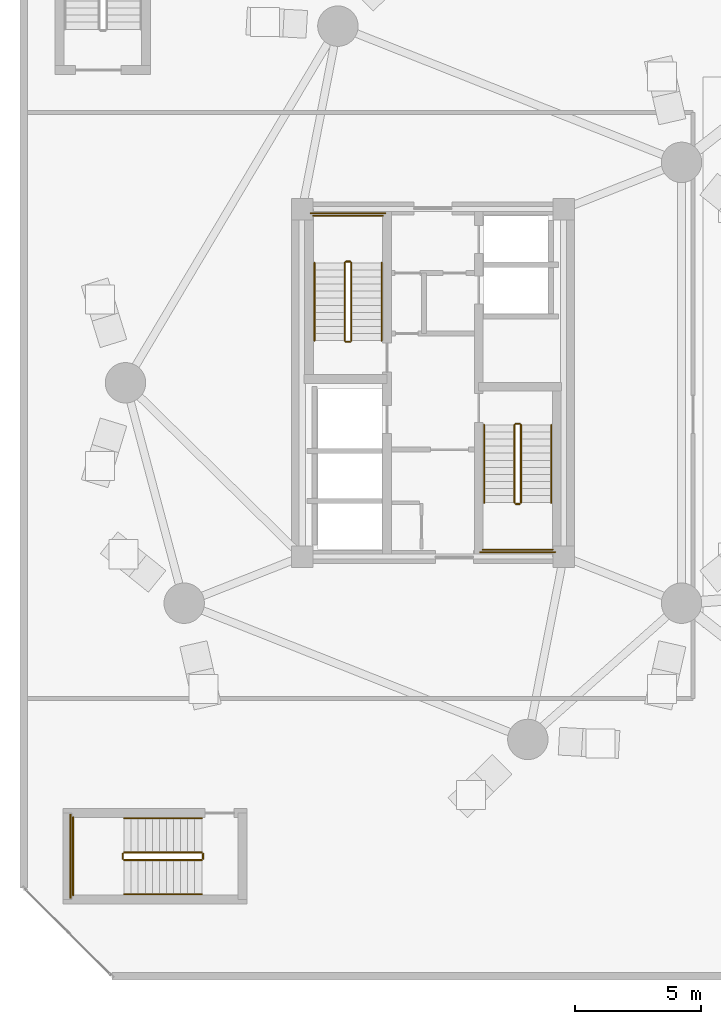
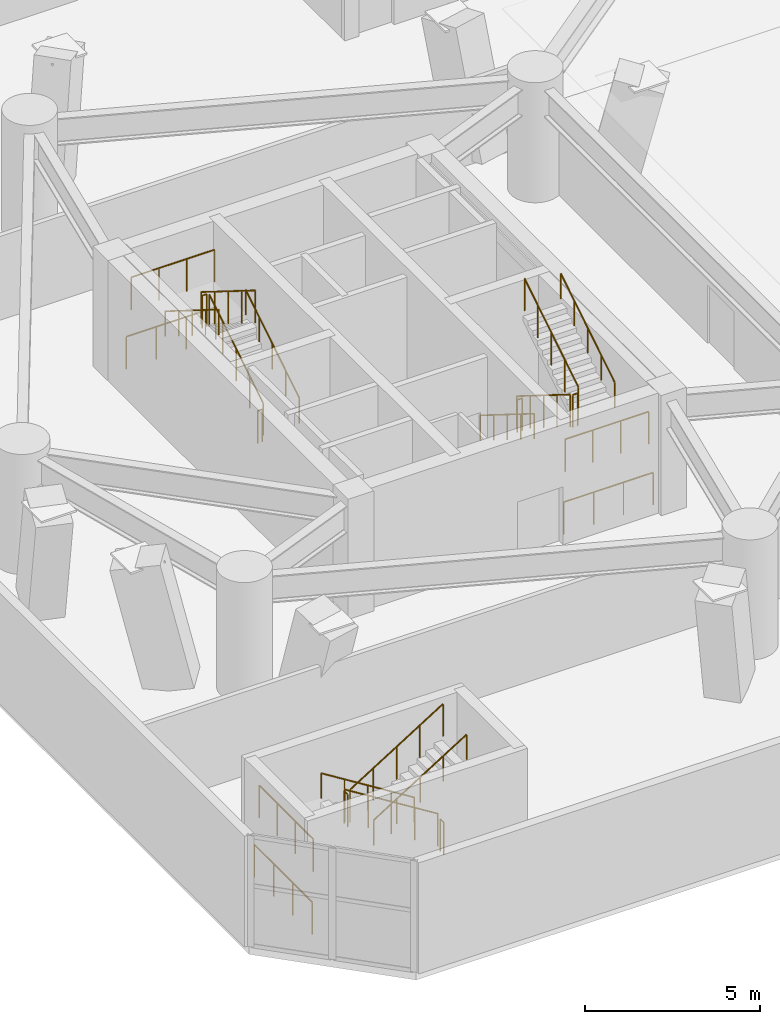
# One storey, part 16 of 20: 24 railings.
"""IFC4 building model written with IfcOpenShell, lengths in metres."""

from ifc_helpers import new_model, si_unit, direction, frame, origin, origin_2d, place, context, subcontext, project, spatial, circle, extrude, material, type_object, element, save


model = new_model("IFC4")

# Units and contexts
model_context = context("Model", 3, precision=1e-05, world=origin(), true_north=direction((0.0, 1.0)))
body_context = subcontext(model_context, "Body", "Model", "MODEL_VIEW")
ifc_project = project(units=[si_unit("LENGTHUNIT", "METRE"), si_unit("AREAUNIT", "SQUARE_METRE"), si_unit("VOLUMEUNIT", "CUBIC_METRE"), si_unit("PLANEANGLEUNIT", "RADIAN"), si_unit("MASSUNIT", "GRAM", prefix="KILO")], contexts=[model_context])

# Site, building, storey
site_placement = place(None, origin())
site = spatial("IfcSite", under=ifc_project, at=site_placement, CompositionType="ELEMENT")
building_placement = place(site_placement, origin())
building = spatial("IfcBuilding", under=site, at=building_placement, Name="Cununo Teusaquillo Station Towers", CompositionType="ELEMENT")
storey_placement = place(building_placement, frame((0.0, 0.0, 9.0)))
storey = spatial("IfcBuildingStorey", under=building, at=storey_placement, Name="L02", CompositionType="ELEMENT", Elevation=9.0)

# Railings
ifc_material_1 = material(Name="Steel EN 10025-2 S355J2", Category="steel")
railing_type_1 = type_object("IfcRailingType", Name="RL-INT-GUARD", PredefinedType="GUARDRAIL", material=ifc_material_1)
railing_1_placement = place(storey_placement, frame((13.27001953125, 26.169921875, 0.175048828125)))
element("IfcRailing", 1, at=railing_1_placement, inside=storey, type_object=railing_type_1, Name="L02 ST-T1-1 stair guard 1", PredefinedType="GUARDRAIL", context=body_context, shape_type="SweptSolid", body=[
    extrude(circle(Radius=0.02392578125, at=origin_2d()), frame((0.0, 0.0, 1.1259765625), z_axis=(0.0, 0.847998304005, 0.529998940003), x_axis=(-1.0, 0.0, 0.0)), (0.0, 0.0, 1.0), 3.632080078125),
    extrude(circle(Radius=0.02099609375, at=origin_2d()), origin(), (0.0, 0.0, 1.0), 1.101806640625),
    extrude(circle(Radius=0.02099609375, at=origin_2d()), frame((0.0, 0.77001953125, 0.481201171875)), (0.0, 0.0, 1.0), 1.101806640625),
    extrude(circle(Radius=0.02099609375, at=origin_2d()), frame((0.0, 1.5400390625, 0.96240234375)), (0.0, 0.0, 1.0), 1.101806640625),
    extrude(circle(Radius=0.02099609375, at=origin_2d()), frame((0.0, 2.31005859375, 1.44384765625)), (0.0, 0.0, 1.0), 1.101806640625),
    extrude(circle(Radius=0.02099609375, at=origin_2d()), frame((0.0, 3.080078125, 1.925048828125)), (0.0, 0.0, 1.0), 1.101806640625),
])
railing_2_placement = place(storey_placement, frame((13.219970703125, 29.300048828125, 2.10009765625)))
element("IfcRailing", 2, at=railing_2_placement, inside=storey, type_object=railing_type_1, Name="L02 ST-T1-1 stair guard 2", PredefinedType="GUARDRAIL", context=body_context, shape_type="SweptSolid", body=[
    extrude(circle(Radius=0.02392578125, at=origin_2d()), frame((0.0, 0.0, 1.1259765625), z_axis=(-1.0, 0.0, 0.0), x_axis=(0.0, -1.0, 0.0)), (0.0, 0.0, 1.0), 0.159912109375),
    extrude(circle(Radius=0.02099609375, at=origin_2d()), origin(), (0.0, 0.0, 1.0), 1.101806640625),
    extrude(circle(Radius=0.02099609375, at=origin_2d()), frame((-0.159912109375, 0.0, 0.0)), (0.0, 0.0, 1.0), 1.101806640625),
])
railing_3_placement = place(storey_placement, frame((14.52001953125, 31.110107421875, 2.10009765625)))
element("IfcRailing", 3, at=railing_3_placement, inside=storey, type_object=railing_type_1, Name="L02 ST-T1-1 stair guard 3", PredefinedType="GUARDRAIL", context=body_context, shape_type="SweptSolid", body=[
    extrude(circle(Radius=0.02392578125, at=origin_2d()), frame((0.0, 0.0, 1.1259765625), z_axis=(-1.0, 0.0, 0.0), x_axis=(0.0, -1.0, 0.0)), (0.0, 0.0, 1.0), 2.760009765625),
    extrude(circle(Radius=0.02099609375, at=origin_2d()), origin(), (0.0, 0.0, 1.0), 1.101806640625),
    extrude(circle(Radius=0.02099609375, at=origin_2d()), frame((-0.919921875, 0.0, 0.0)), (0.0, 0.0, 1.0), 1.101806640625),
    extrude(circle(Radius=0.02099609375, at=origin_2d()), frame((-1.840087890625, 0.0, 0.0)), (0.0, 0.0, 1.0), 1.101806640625),
    extrude(circle(Radius=0.02099609375, at=origin_2d()), frame((-2.760009765625, 0.0, 0.0)), (0.0, 0.0, 1.0), 1.101806640625),
])
railing_4_placement = place(storey_placement, frame((13.010009765625, 29.25, 2.27490234375)))
element("IfcRailing", 4, at=railing_4_placement, inside=storey, type_object=railing_type_1, Name="L02 ST-T1-1 stair guard 4", PredefinedType="GUARDRAIL", context=body_context, shape_type="SweptSolid", body=[
    extrude(circle(Radius=0.02392578125, at=origin_2d()), frame((0.0, 0.0, 1.1259765625), z_axis=(0.0, -0.847998304005, 0.529998940003), x_axis=(1.0, 0.0, 0.0)), (0.0, 0.0, 1.0), 3.632080078125),
    extrude(circle(Radius=0.02099609375, at=origin_2d()), origin(), (0.0, 0.0, 1.0), 1.101806640625),
    extrude(circle(Radius=0.02099609375, at=origin_2d()), frame((0.0, -0.77001953125, 0.481201171875)), (0.0, 0.0, 1.0), 1.101806640625),
    extrude(circle(Radius=0.02099609375, at=origin_2d()), frame((0.0, -1.5400390625, 0.96240234375)), (0.0, 0.0, 1.0), 1.101806640625),
    extrude(circle(Radius=0.02099609375, at=origin_2d()), frame((0.0, -2.31005859375, 1.44384765625)), (0.0, 0.0, 1.0), 1.101806640625),
    extrude(circle(Radius=0.02099609375, at=origin_2d()), frame((0.0, -3.080078125, 1.925048828125)), (0.0, 0.0, 1.0), 1.101806640625),
])
railing_5_placement = place(storey_placement, frame((13.219970703125, 26.1201171875, 0.0)))
element("IfcRailing", 5, at=railing_5_placement, inside=storey, type_object=railing_type_1, Name="L02 ST-T1-1 stair guard 5", PredefinedType="GUARDRAIL", context=body_context, shape_type="SweptSolid", body=[
    extrude(circle(Radius=0.02392578125, at=origin_2d()), frame((0.0, 0.0, 1.1259765625), z_axis=(-1.0, 0.0, 0.0), x_axis=(0.0, -1.0, 0.0)), (0.0, 0.0, 1.0), 0.159912109375),
    extrude(circle(Radius=0.02099609375, at=origin_2d()), origin(), (0.0, 0.0, 1.0), 1.101806640625),
    extrude(circle(Radius=0.02099609375, at=origin_2d()), frame((-0.159912109375, 0.0, 0.0)), (0.0, 0.0, 1.0), 1.101806640625),
])
railing_6_placement = place(storey_placement, frame((14.6201171875, 31.2099609375, 0.0)))
element("IfcRailing", 6, at=railing_6_placement, inside=storey, type_object=railing_type_1, Name="L02 ST-T1-1 stair guard 6", PredefinedType="GUARDRAIL", context=body_context, shape_type="SweptSolid", body=[
    extrude(circle(Radius=0.02392578125, at=origin_2d()), frame((0.0, 0.0, 1.1259765625), z_axis=(-1.0, 0.0, 0.0), x_axis=(0.0, -1.0, 0.0)), (0.0, 0.0, 1.0), 2.960205078125),
    extrude(circle(Radius=0.02099609375, at=origin_2d()), origin(), (0.0, 0.0, 1.0), 1.101806640625),
    extrude(circle(Radius=0.02099609375, at=origin_2d()), frame((-0.98681640625, 0.0, 0.0)), (0.0, 0.0, 1.0), 1.101806640625),
    extrude(circle(Radius=0.02099609375, at=origin_2d()), frame((-1.973388671875, 0.0, 0.0)), (0.0, 0.0, 1.0), 1.101806640625),
    extrude(circle(Radius=0.02099609375, at=origin_2d()), frame((-2.960205078125, 0.0, 0.0)), (0.0, 0.0, 1.0), 1.101806640625),
])
railing_7_placement = place(storey_placement, frame((19.72998046875, 22.830078125, 0.175048828125)))
element("IfcRailing", 7, at=railing_7_placement, inside=storey, type_object=railing_type_1, Name="L02 ST-T1-2 stair guard 1", PredefinedType="GUARDRAIL", context=body_context, shape_type="SweptSolid", body=[
    extrude(circle(Radius=0.02392578125, at=origin_2d()), frame((0.0, 0.0, 1.1259765625), z_axis=(0.0, -0.847998304005, 0.529998940003), x_axis=(1.0, 0.0, 0.0)), (0.0, 0.0, 1.0), 3.632080078125),
    extrude(circle(Radius=0.02099609375, at=origin_2d()), origin(), (0.0, 0.0, 1.0), 1.101806640625),
    extrude(circle(Radius=0.02099609375, at=origin_2d()), frame((0.0, -0.77001953125, 0.481201171875)), (0.0, 0.0, 1.0), 1.101806640625),
    extrude(circle(Radius=0.02099609375, at=origin_2d()), frame((0.0, -1.5400390625, 0.96240234375)), (0.0, 0.0, 1.0), 1.101806640625),
    extrude(circle(Radius=0.02099609375, at=origin_2d()), frame((0.0, -2.31005859375, 1.44384765625)), (0.0, 0.0, 1.0), 1.101806640625),
    extrude(circle(Radius=0.02099609375, at=origin_2d()), frame((0.0, -3.080078125, 1.925048828125)), (0.0, 0.0, 1.0), 1.101806640625),
])
railing_8_placement = place(storey_placement, frame((19.780029296875, 19.699951171875, 2.10009765625)))
element("IfcRailing", 8, at=railing_8_placement, inside=storey, type_object=railing_type_1, Name="L02 ST-T1-2 stair guard 2", PredefinedType="GUARDRAIL", context=body_context, shape_type="SweptSolid", body=[
    extrude(circle(Radius=0.02392578125, at=origin_2d()), frame((0.0, 0.0, 1.1259765625), z_axis=(1.0, 0.0, 0.0), x_axis=(0.0, 1.0, 0.0)), (0.0, 0.0, 1.0), 0.159912109375),
    extrude(circle(Radius=0.02099609375, at=origin_2d()), origin(), (0.0, 0.0, 1.0), 1.101806640625),
    extrude(circle(Radius=0.02099609375, at=origin_2d()), frame((0.159912109375, 0.0, 0.0)), (0.0, 0.0, 1.0), 1.101806640625),
])
railing_9_placement = place(storey_placement, frame((18.47998046875, 17.889892578125, 2.10009765625)))
element("IfcRailing", 9, at=railing_9_placement, inside=storey, type_object=railing_type_1, Name="L02 ST-T1-2 stair guard 3", PredefinedType="GUARDRAIL", context=body_context, shape_type="SweptSolid", body=[
    extrude(circle(Radius=0.02392578125, at=origin_2d()), frame((0.0, 0.0, 1.1259765625), z_axis=(1.0, 0.0, 0.0), x_axis=(0.0, 1.0, 0.0)), (0.0, 0.0, 1.0), 2.760009765625),
    extrude(circle(Radius=0.02099609375, at=origin_2d()), origin(), (0.0, 0.0, 1.0), 1.101806640625),
    extrude(circle(Radius=0.02099609375, at=origin_2d()), frame((0.919921875, 0.0, 0.0)), (0.0, 0.0, 1.0), 1.101806640625),
    extrude(circle(Radius=0.02099609375, at=origin_2d()), frame((1.840087890625, 0.0, 0.0)), (0.0, 0.0, 1.0), 1.101806640625),
    extrude(circle(Radius=0.02099609375, at=origin_2d()), frame((2.760009765625, 0.0, 0.0)), (0.0, 0.0, 1.0), 1.101806640625),
])
railing_10_placement = place(storey_placement, frame((19.989990234375, 19.75, 2.27490234375)))
element("IfcRailing", 10, at=railing_10_placement, inside=storey, type_object=railing_type_1, Name="L02 ST-T1-2 stair guard 4", PredefinedType="GUARDRAIL", context=body_context, shape_type="SweptSolid", body=[
    extrude(circle(Radius=0.02392578125, at=origin_2d()), frame((0.0, 0.0, 1.1259765625), z_axis=(0.0, 0.847998304005, 0.529998940003), x_axis=(-1.0, 0.0, 0.0)), (0.0, 0.0, 1.0), 3.632080078125),
    extrude(circle(Radius=0.02099609375, at=origin_2d()), origin(), (0.0, 0.0, 1.0), 1.101806640625),
    extrude(circle(Radius=0.02099609375, at=origin_2d()), frame((0.0, 0.77001953125, 0.481201171875)), (0.0, 0.0, 1.0), 1.101806640625),
    extrude(circle(Radius=0.02099609375, at=origin_2d()), frame((0.0, 1.5400390625, 0.96240234375)), (0.0, 0.0, 1.0), 1.101806640625),
    extrude(circle(Radius=0.02099609375, at=origin_2d()), frame((0.0, 2.31005859375, 1.44384765625)), (0.0, 0.0, 1.0), 1.101806640625),
    extrude(circle(Radius=0.02099609375, at=origin_2d()), frame((0.0, 3.080078125, 1.925048828125)), (0.0, 0.0, 1.0), 1.101806640625),
])
railing_11_placement = place(storey_placement, frame((19.780029296875, 22.8798828125, 0.0)))
element("IfcRailing", 11, at=railing_11_placement, inside=storey, type_object=railing_type_1, Name="L02 ST-T1-2 stair guard 5", PredefinedType="GUARDRAIL", context=body_context, shape_type="SweptSolid", body=[
    extrude(circle(Radius=0.02392578125, at=origin_2d()), frame((0.0, 0.0, 1.1259765625), z_axis=(1.0, 0.0, 0.0), x_axis=(0.0, 1.0, 0.0)), (0.0, 0.0, 1.0), 0.159912109375),
    extrude(circle(Radius=0.02099609375, at=origin_2d()), origin(), (0.0, 0.0, 1.0), 1.101806640625),
    extrude(circle(Radius=0.02099609375, at=origin_2d()), frame((0.159912109375, 0.0, 0.0)), (0.0, 0.0, 1.0), 1.101806640625),
])
railing_12_placement = place(storey_placement, frame((18.3798828125, 17.7900390625, 0.0)))
element("IfcRailing", 12, at=railing_12_placement, inside=storey, type_object=railing_type_1, Name="L02 ST-T1-2 stair guard 6", PredefinedType="GUARDRAIL", context=body_context, shape_type="SweptSolid", body=[
    extrude(circle(Radius=0.02392578125, at=origin_2d()), frame((0.0, 0.0, 1.1259765625), z_axis=(1.0, 0.0, 0.0), x_axis=(0.0, 1.0, 0.0)), (0.0, 0.0, 1.0), 2.960205078125),
    extrude(circle(Radius=0.02099609375, at=origin_2d()), origin(), (0.0, 0.0, 1.0), 1.101806640625),
    extrude(circle(Radius=0.02099609375, at=origin_2d()), frame((0.98681640625, 0.0, 0.0)), (0.0, 0.0, 1.0), 1.101806640625),
    extrude(circle(Radius=0.02099609375, at=origin_2d()), frame((1.973388671875, 0.0, 0.0)), (0.0, 0.0, 1.0), 1.101806640625),
    extrude(circle(Radius=0.02099609375, at=origin_2d()), frame((2.960205078125, 0.0, 0.0)), (0.0, 0.0, 1.0), 1.101806640625),
])
railing_13_placement = place(storey_placement, frame((7.35009765625, 5.89990234375, 0.175048828125)))
element("IfcRailing", 13, at=railing_13_placement, inside=storey, type_object=railing_type_1, Name="L02 ST-POD-S stair guard 1", PredefinedType="GUARDRAIL", context=body_context, shape_type="SweptSolid", body=[
    extrude(circle(Radius=0.02392578125, at=origin_2d()), frame((0.0, 0.0, 1.1259765625), z_axis=(-0.847998304005, 0.0, 0.529998940003), x_axis=(0.0, -1.0, 0.0)), (0.0, 0.0, 1.0), 3.632080078125),
    extrude(circle(Radius=0.02099609375, at=origin_2d()), origin(), (0.0, 0.0, 1.0), 1.101806640625),
    extrude(circle(Radius=0.02099609375, at=origin_2d()), frame((-0.77001953125, 0.0, 0.481201171875)), (0.0, 0.0, 1.0), 1.101806640625),
    extrude(circle(Radius=0.02099609375, at=origin_2d()), frame((-1.5400390625, 0.0, 0.96240234375)), (0.0, 0.0, 1.0), 1.101806640625),
    extrude(circle(Radius=0.02099609375, at=origin_2d()), frame((-2.31005859375, 0.0, 1.44384765625)), (0.0, 0.0, 1.0), 1.101806640625),
    extrude(circle(Radius=0.02099609375, at=origin_2d()), frame((-3.080078125, 0.0, 1.925048828125)), (0.0, 0.0, 1.0), 1.101806640625),
])
railing_14_placement = place(storey_placement, frame((4.219970703125, 5.85009765625, 2.10009765625)))
element("IfcRailing", 14, at=railing_14_placement, inside=storey, type_object=railing_type_1, Name="L02 ST-POD-S stair guard 2", PredefinedType="GUARDRAIL", context=body_context, shape_type="SweptSolid", body=[
    extrude(circle(Radius=0.02392578125, at=origin_2d()), frame((0.0, 0.0, 1.1259765625), z_axis=(0.0, -1.0, 0.0), x_axis=(1.0, 0.0, 0.0)), (0.0, 0.0, 1.0), 0.2001953125),
    extrude(circle(Radius=0.02099609375, at=origin_2d()), origin(), (0.0, 0.0, 1.0), 1.101806640625),
    extrude(circle(Radius=0.02099609375, at=origin_2d()), frame((0.0, -0.2001953125, 0.0)), (0.0, 0.0, 1.0), 1.101806640625),
])
railing_15_placement = place(storey_placement, frame((2.25, 7.300048828125, 2.10009765625)))
element("IfcRailing", 15, at=railing_15_placement, inside=storey, type_object=railing_type_1, Name="L02 ST-POD-S stair guard 3", PredefinedType="GUARDRAIL", context=body_context, shape_type="SweptSolid", body=[
    extrude(circle(Radius=0.02392578125, at=origin_2d()), frame((0.0, 0.0, 1.1259765625), z_axis=(0.0, -1.0, 0.0), x_axis=(1.0, 0.0, 0.0)), (0.0, 0.0, 1.0), 3.10009765625),
    extrude(circle(Radius=0.02099609375, at=origin_2d()), origin(), (0.0, 0.0, 1.0), 1.101806640625),
    extrude(circle(Radius=0.02099609375, at=origin_2d()), frame((0.0, -1.033447265625, 0.0)), (0.0, 0.0, 1.0), 1.101806640625),
    extrude(circle(Radius=0.02099609375, at=origin_2d()), frame((0.0, -2.066650390625, 0.0)), (0.0, 0.0, 1.0), 1.101806640625),
    extrude(circle(Radius=0.02099609375, at=origin_2d()), frame((0.0, -3.10009765625, 0.0)), (0.0, 0.0, 1.0), 1.101806640625),
])
railing_16_placement = place(storey_placement, frame((4.27001953125, 5.60009765625, 2.27490234375)))
element("IfcRailing", 16, at=railing_16_placement, inside=storey, type_object=railing_type_1, Name="L02 ST-POD-S stair guard 4", PredefinedType="GUARDRAIL", context=body_context, shape_type="SweptSolid", body=[
    extrude(circle(Radius=0.02392578125, at=origin_2d()), frame((0.0, 0.0, 1.1259765625), z_axis=(0.847998304005, 0.0, 0.529998940003), x_axis=(0.0, 1.0, 0.0)), (0.0, 0.0, 1.0), 3.632080078125),
    extrude(circle(Radius=0.02099609375, at=origin_2d()), origin(), (0.0, 0.0, 1.0), 1.101806640625),
    extrude(circle(Radius=0.02099609375, at=origin_2d()), frame((0.77001953125, 0.0, 0.481201171875)), (0.0, 0.0, 1.0), 1.101806640625),
    extrude(circle(Radius=0.02099609375, at=origin_2d()), frame((1.5400390625, 0.0, 0.96240234375)), (0.0, 0.0, 1.0), 1.101806640625),
    extrude(circle(Radius=0.02099609375, at=origin_2d()), frame((2.31005859375, 0.0, 1.44384765625)), (0.0, 0.0, 1.0), 1.101806640625),
    extrude(circle(Radius=0.02099609375, at=origin_2d()), frame((3.080078125, 0.0, 1.925048828125)), (0.0, 0.0, 1.0), 1.101806640625),
])
railing_17_placement = place(storey_placement, frame((7.39990234375, 5.85009765625, 0.0)))
element("IfcRailing", 17, at=railing_17_placement, inside=storey, type_object=railing_type_1, Name="L02 ST-POD-S stair guard 5", PredefinedType="GUARDRAIL", context=body_context, shape_type="SweptSolid", body=[
    extrude(circle(Radius=0.02392578125, at=origin_2d()), frame((0.0, 0.0, 1.1259765625), z_axis=(0.0, -1.0, 0.0), x_axis=(1.0, 0.0, 0.0)), (0.0, 0.0, 1.0), 0.2001953125),
    extrude(circle(Radius=0.02099609375, at=origin_2d()), origin(), (0.0, 0.0, 1.0), 1.101806640625),
    extrude(circle(Radius=0.02099609375, at=origin_2d()), frame((0.0, -0.2001953125, 0.0)), (0.0, 0.0, 1.0), 1.101806640625),
])
railing_18_placement = place(storey_placement, frame((2.14990234375, 7.39990234375, 0.0)))
element("IfcRailing", 18, at=railing_18_placement, inside=storey, type_object=railing_type_1, Name="L02 ST-POD-S stair guard 6", PredefinedType="GUARDRAIL", context=body_context, shape_type="SweptSolid", body=[
    extrude(circle(Radius=0.02392578125, at=origin_2d()), frame((0.0, 0.0, 1.1259765625), z_axis=(0.0, -1.0, 0.0), x_axis=(1.0, 0.0, 0.0)), (0.0, 0.0, 1.0), 3.2998046875),
    extrude(circle(Radius=0.02099609375, at=origin_2d()), origin(), (0.0, 0.0, 1.0), 1.101806640625),
    extrude(circle(Radius=0.02099609375, at=origin_2d()), frame((0.0, -1.099853515625, 0.0)), (0.0, 0.0, 1.0), 1.101806640625),
    extrude(circle(Radius=0.02099609375, at=origin_2d()), frame((0.0, -2.199951171875, 0.0)), (0.0, 0.0, 1.0), 1.101806640625),
    extrude(circle(Radius=0.02099609375, at=origin_2d()), frame((0.0, -3.2998046875, 0.0)), (0.0, 0.0, 1.0), 1.101806640625),
])
ifc_material_2 = material(Name="Steel EN 10025-2 S355J2", Category="steel")
railing_type_2 = type_object("IfcRailingType", Name="RL-INT-HRAIL", PredefinedType="HANDRAIL", material=ifc_material_2)
railing_19_placement = place(storey_placement, frame((14.469970703125, 26.169921875, 0.175048828125)))
element("IfcRailing", 19, at=railing_19_placement, inside=storey, type_object=railing_type_2, Name="L02 ST-T1-1 stair handrail 1", PredefinedType="HANDRAIL", context=body_context, shape_type="SweptSolid", body=[
    extrude(circle(Radius=0.02392578125, at=origin_2d()), frame((0.0, 0.0, 0.8759765625), z_axis=(0.0, 0.847998304005, 0.529998940003), x_axis=(-1.0, 0.0, 0.0)), (0.0, 0.0, 1.0), 3.632080078125),
    extrude(circle(Radius=0.02099609375, at=origin_2d()), origin(), (0.0, 0.0, 1.0), 0.851806640625),
    extrude(circle(Radius=0.02099609375, at=origin_2d()), frame((0.0, 0.77001953125, 0.481201171875)), (0.0, 0.0, 1.0), 0.851806640625),
    extrude(circle(Radius=0.02099609375, at=origin_2d()), frame((0.0, 1.5400390625, 0.96240234375)), (0.0, 0.0, 1.0), 0.851806640625),
    extrude(circle(Radius=0.02099609375, at=origin_2d()), frame((0.0, 2.31005859375, 1.44384765625)), (0.0, 0.0, 1.0), 0.851806640625),
    extrude(circle(Radius=0.02099609375, at=origin_2d()), frame((0.0, 3.080078125, 1.925048828125)), (0.0, 0.0, 1.0), 0.851806640625),
])
for number, where, name in (
    (20, (11.81005859375, 29.25, 2.27490234375), "L02 ST-T1-1 stair handrail 2"),
    (21, (18.530029296875, 22.830078125, 0.175048828125), "L02 ST-T1-2 stair handrail 1"),
):
    element("IfcRailing", number, at=place(storey_placement, frame(where)), inside=storey, type_object=railing_type_2, Name=name, PredefinedType="HANDRAIL", context=body_context, shape_type="SweptSolid", body=[
        extrude(circle(Radius=0.02392578125, at=origin_2d()), frame((0.0, 0.0, 0.8759765625), z_axis=(0.0, -0.847998304005, 0.529998940003), x_axis=(1.0, 0.0, 0.0)), (0.0, 0.0, 1.0), 3.632080078125),
        extrude(circle(Radius=0.02099609375, at=origin_2d()), origin(), (0.0, 0.0, 1.0), 0.851806640625),
        extrude(circle(Radius=0.02099609375, at=origin_2d()), frame((0.0, -0.77001953125, 0.481201171875)), (0.0, 0.0, 1.0), 0.851806640625),
        extrude(circle(Radius=0.02099609375, at=origin_2d()), frame((0.0, -1.5400390625, 0.96240234375)), (0.0, 0.0, 1.0), 0.851806640625),
        extrude(circle(Radius=0.02099609375, at=origin_2d()), frame((0.0, -2.31005859375, 1.44384765625)), (0.0, 0.0, 1.0), 0.851806640625),
        extrude(circle(Radius=0.02099609375, at=origin_2d()), frame((0.0, -3.080078125, 1.925048828125)), (0.0, 0.0, 1.0), 0.851806640625),
    ])
railing_20_placement = place(storey_placement, frame((21.18994140625, 19.75, 2.27490234375)))
element("IfcRailing", 22, at=railing_20_placement, inside=storey, type_object=railing_type_2, Name="L02 ST-T1-2 stair handrail 2", PredefinedType="HANDRAIL", context=body_context, shape_type="SweptSolid", body=[
    extrude(circle(Radius=0.02392578125, at=origin_2d()), frame((0.0, 0.0, 0.8759765625), z_axis=(0.0, 0.847998304005, 0.529998940003), x_axis=(-1.0, 0.0, 0.0)), (0.0, 0.0, 1.0), 3.632080078125),
    extrude(circle(Radius=0.02099609375, at=origin_2d()), origin(), (0.0, 0.0, 1.0), 0.851806640625),
    extrude(circle(Radius=0.02099609375, at=origin_2d()), frame((0.0, 0.77001953125, 0.481201171875)), (0.0, 0.0, 1.0), 0.851806640625),
    extrude(circle(Radius=0.02099609375, at=origin_2d()), frame((0.0, 1.5400390625, 0.96240234375)), (0.0, 0.0, 1.0), 0.851806640625),
    extrude(circle(Radius=0.02099609375, at=origin_2d()), frame((0.0, 2.31005859375, 1.44384765625)), (0.0, 0.0, 1.0), 0.851806640625),
    extrude(circle(Radius=0.02099609375, at=origin_2d()), frame((0.0, 3.080078125, 1.925048828125)), (0.0, 0.0, 1.0), 0.851806640625),
])
railing_21_placement = place(storey_placement, frame((7.35009765625, 7.25, 0.175048828125)))
element("IfcRailing", 23, at=railing_21_placement, inside=storey, type_object=railing_type_2, Name="L02 ST-POD-S stair handrail 1", PredefinedType="HANDRAIL", context=body_context, shape_type="SweptSolid", body=[
    extrude(circle(Radius=0.02392578125, at=origin_2d()), frame((0.0, 0.0, 0.8759765625), z_axis=(-0.847998304005, 0.0, 0.529998940003), x_axis=(0.0, -1.0, 0.0)), (0.0, 0.0, 1.0), 3.632080078125),
    extrude(circle(Radius=0.02099609375, at=origin_2d()), origin(), (0.0, 0.0, 1.0), 0.851806640625),
    extrude(circle(Radius=0.02099609375, at=origin_2d()), frame((-0.77001953125, 0.0, 0.481201171875)), (0.0, 0.0, 1.0), 0.851806640625),
    extrude(circle(Radius=0.02099609375, at=origin_2d()), frame((-1.5400390625, 0.0, 0.96240234375)), (0.0, 0.0, 1.0), 0.851806640625),
    extrude(circle(Radius=0.02099609375, at=origin_2d()), frame((-2.31005859375, 0.0, 1.44384765625)), (0.0, 0.0, 1.0), 0.851806640625),
    extrude(circle(Radius=0.02099609375, at=origin_2d()), frame((-3.080078125, 0.0, 1.925048828125)), (0.0, 0.0, 1.0), 0.851806640625),
])
railing_22_placement = place(storey_placement, frame((4.27001953125, 4.25, 2.27490234375)))
element("IfcRailing", 24, at=railing_22_placement, inside=storey, type_object=railing_type_2, Name="L02 ST-POD-S stair handrail 2", PredefinedType="HANDRAIL", context=body_context, shape_type="SweptSolid", body=[
    extrude(circle(Radius=0.02392578125, at=origin_2d()), frame((0.0, 0.0, 0.8759765625), z_axis=(0.847998304005, 0.0, 0.529998940003), x_axis=(0.0, 1.0, 0.0)), (0.0, 0.0, 1.0), 3.632080078125),
    extrude(circle(Radius=0.02099609375, at=origin_2d()), origin(), (0.0, 0.0, 1.0), 0.851806640625),
    extrude(circle(Radius=0.02099609375, at=origin_2d()), frame((0.77001953125, 0.0, 0.481201171875)), (0.0, 0.0, 1.0), 0.851806640625),
    extrude(circle(Radius=0.02099609375, at=origin_2d()), frame((1.5400390625, 0.0, 0.96240234375)), (0.0, 0.0, 1.0), 0.851806640625),
    extrude(circle(Radius=0.02099609375, at=origin_2d()), frame((2.31005859375, 0.0, 1.44384765625)), (0.0, 0.0, 1.0), 0.851806640625),
    extrude(circle(Radius=0.02099609375, at=origin_2d()), frame((3.080078125, 0.0, 1.925048828125)), (0.0, 0.0, 1.0), 0.851806640625),
])

save(model, "model.ifc")
